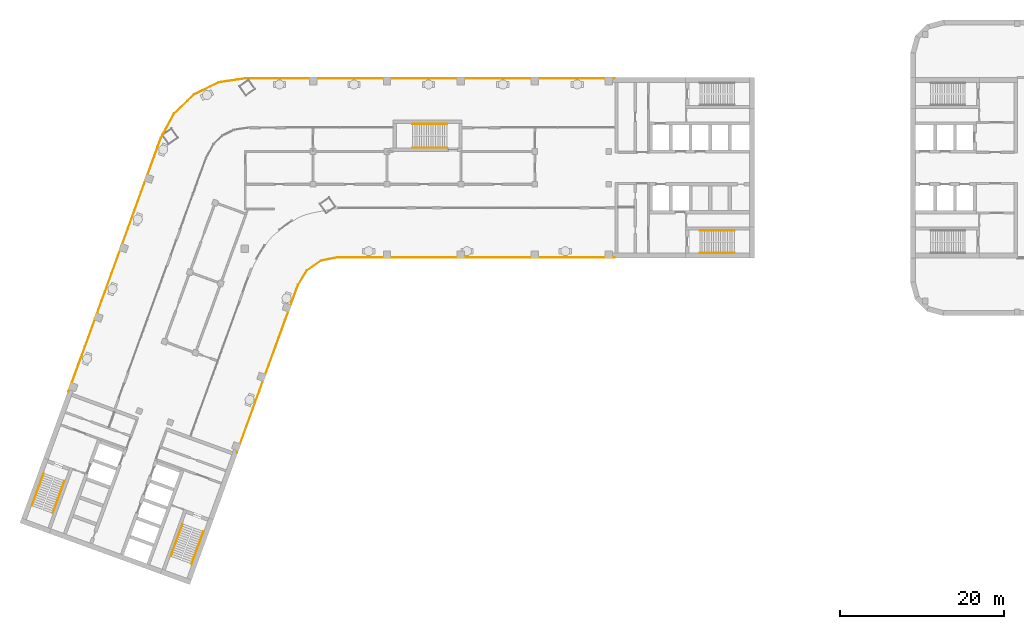
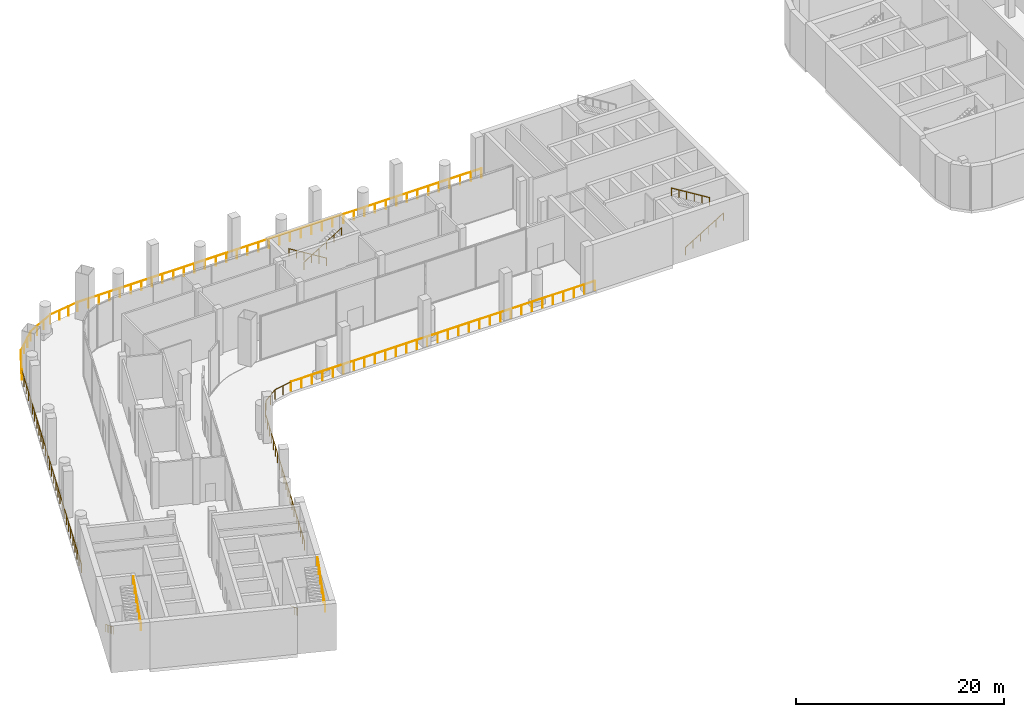
# One storey, part 16 of 19: 14 railings.
"""IFC4 building model written with IfcOpenShell, lengths in metres."""

from ifc_helpers import new_model, si_unit, direction, frame, origin, origin_2d, place, context, subcontext, project, spatial, circle, extrude, material, type_object, element, save


model = new_model("IFC4")

# Units and contexts
model_context = context("Model", 3, precision=1e-05, world=origin(), true_north=direction((0.0, 1.0)))
body_context = subcontext(model_context, "Body", "Model", "MODEL_VIEW")
ifc_project = project(units=[si_unit("LENGTHUNIT", "METRE"), si_unit("AREAUNIT", "SQUARE_METRE"), si_unit("VOLUMEUNIT", "CUBIC_METRE"), si_unit("PLANEANGLEUNIT", "RADIAN"), si_unit("MASSUNIT", "GRAM", prefix="KILO")], contexts=[model_context])

# Site, building, storey
site_placement = place(None, origin())
site = spatial("IfcSite", under=ifc_project, at=site_placement, CompositionType="ELEMENT")
building_placement = place(site_placement, origin())
building = spatial("IfcBuilding", under=site, at=building_placement, Name="Skarvind Civic Tower", CompositionType="ELEMENT")
storey_placement = place(building_placement, frame((0.0, 0.0, 75.5)))
storey = spatial("IfcBuildingStorey", under=building, at=storey_placement, Name="L17", CompositionType="ELEMENT", Elevation=75.5)

# Railings
ifc_material_1 = material(Name="Stainless steel balustrade", Category="steel")
railing_type_1 = type_object("IfcRailingType", Name="GR1 GUARD 1100", PredefinedType="GUARDRAIL", material=ifc_material_1)
railing_1_placement = place(storey_placement, frame((37.316650390625, 134.5830078125, 0.0)))
element("IfcRailing", 1, at=railing_1_placement, inside=storey, type_object=railing_type_1, Name="TERRACE GUARD", PredefinedType="GUARDRAIL", context=body_context, shape_type="SweptSolid", body=[
    extrude(circle(Radius=0.02392578125, at=origin_2d()), frame((0.0, 0.0, 1.076171875), z_axis=(0.72116914998, 0.69275901807, 0.0), x_axis=(-0.69275901807, 0.72116914998, 0.0)), (0.0, 0.0, 1.0), 3.377197265625),
    extrude(circle(Radius=0.02392578125, at=origin_2d()), frame((2.435546875, 2.339599609375, 1.076171875), z_axis=(0.897628432025, 0.440752989803, 0.0), x_axis=(-0.440752989803, 0.897628432025, 0.0)), (0.0, 0.0, 1.0), 3.36181640625),
    extrude(circle(Radius=0.02392578125, at=origin_2d()), frame((5.453125, 3.8212890625, 1.076171875), z_axis=(0.989124740539, 0.147079052395, 0.0), x_axis=(-0.147079052395, 0.989124740539, 0.0)), (0.0, 0.0, 1.0), 3.36962890625),
    extrude(circle(Radius=0.02392578125, at=origin_2d()), frame((8.7861328125, 4.31689453125, 1.076171875), z_axis=(1.0, 0.0, 0.0), x_axis=(0.0, 1.0, 0.0)), (0.0, 0.0, 1.0), 44.84716796875),
    extrude(circle(Radius=0.02099609375, at=origin_2d()), origin(), (0.0, 0.0, 1.0), 1.052001953125),
    extrude(circle(Radius=0.02099609375, at=origin_2d()), frame((0.811767578125, 0.77978515625, 0.0)), (0.0, 0.0, 1.0), 1.052001953125),
    extrude(circle(Radius=0.02099609375, at=origin_2d()), frame((1.623779296875, 1.559814453125, 0.0)), (0.0, 0.0, 1.0), 1.052001953125),
    extrude(circle(Radius=0.02099609375, at=origin_2d()), frame((2.435546875, 2.339599609375, 0.0)), (0.0, 0.0, 1.0), 1.052001953125),
    extrude(circle(Radius=0.02099609375, at=origin_2d()), frame((3.44140625, 2.83349609375, 0.0)), (0.0, 0.0, 1.0), 1.052001953125),
    extrude(circle(Radius=0.02099609375, at=origin_2d()), frame((4.447265625, 3.327392578125, 0.0)), (0.0, 0.0, 1.0), 1.052001953125),
    extrude(circle(Radius=0.02099609375, at=origin_2d()), frame((5.453125, 3.8212890625, 0.0)), (0.0, 0.0, 1.0), 1.052001953125),
    extrude(circle(Radius=0.02099609375, at=origin_2d()), frame((6.564208984375, 3.986572265625, 0.0)), (0.0, 0.0, 1.0), 1.052001953125),
    extrude(circle(Radius=0.02099609375, at=origin_2d()), frame((7.675048828125, 4.151611328125, 0.0)), (0.0, 0.0, 1.0), 1.052001953125),
    extrude(circle(Radius=0.02099609375, at=origin_2d()), frame((8.7861328125, 4.31689453125, 0.0)), (0.0, 0.0, 1.0), 1.052001953125),
    extrude(circle(Radius=0.02099609375, at=origin_2d()), frame((9.96630859375, 4.31689453125, 0.0)), (0.0, 0.0, 1.0), 1.052001953125),
    extrude(circle(Radius=0.02099609375, at=origin_2d()), frame((11.146484375, 4.31689453125, 0.0)), (0.0, 0.0, 1.0), 1.052001953125),
    extrude(circle(Radius=0.02099609375, at=origin_2d()), frame((12.32666015625, 4.31689453125, 0.0)), (0.0, 0.0, 1.0), 1.052001953125),
    extrude(circle(Radius=0.02099609375, at=origin_2d()), frame((13.5068359375, 4.31689453125, 0.0)), (0.0, 0.0, 1.0), 1.052001953125),
    extrude(circle(Radius=0.02099609375, at=origin_2d()), frame((14.68701171875, 4.31689453125, 0.0)), (0.0, 0.0, 1.0), 1.052001953125),
    extrude(circle(Radius=0.02099609375, at=origin_2d()), frame((15.8671875, 4.31689453125, 0.0)), (0.0, 0.0, 1.0), 1.052001953125),
    extrude(circle(Radius=0.02099609375, at=origin_2d()), frame((17.04736328125, 4.31689453125, 0.0)), (0.0, 0.0, 1.0), 1.052001953125),
    extrude(circle(Radius=0.02099609375, at=origin_2d()), frame((18.2275390625, 4.31689453125, 0.0)), (0.0, 0.0, 1.0), 1.052001953125),
    extrude(circle(Radius=0.02099609375, at=origin_2d()), frame((19.40771484375, 4.31689453125, 0.0)), (0.0, 0.0, 1.0), 1.052001953125),
    extrude(circle(Radius=0.02099609375, at=origin_2d()), frame((20.588134765625, 4.31689453125, 0.0)), (0.0, 0.0, 1.0), 1.052001953125),
    extrude(circle(Radius=0.02099609375, at=origin_2d()), frame((21.768310546875, 4.31689453125, 0.0)), (0.0, 0.0, 1.0), 1.052001953125),
    extrude(circle(Radius=0.02099609375, at=origin_2d()), frame((22.948486328125, 4.31689453125, 0.0)), (0.0, 0.0, 1.0), 1.052001953125),
    extrude(circle(Radius=0.02099609375, at=origin_2d()), frame((24.128662109375, 4.31689453125, 0.0)), (0.0, 0.0, 1.0), 1.052001953125),
    extrude(circle(Radius=0.02099609375, at=origin_2d()), frame((25.308837890625, 4.31689453125, 0.0)), (0.0, 0.0, 1.0), 1.052001953125),
    extrude(circle(Radius=0.02099609375, at=origin_2d()), frame((26.489013671875, 4.31689453125, 0.0)), (0.0, 0.0, 1.0), 1.052001953125),
    extrude(circle(Radius=0.02099609375, at=origin_2d()), frame((27.669189453125, 4.31689453125, 0.0)), (0.0, 0.0, 1.0), 1.052001953125),
    extrude(circle(Radius=0.02099609375, at=origin_2d()), frame((28.849365234375, 4.31689453125, 0.0)), (0.0, 0.0, 1.0), 1.052001953125),
    extrude(circle(Radius=0.02099609375, at=origin_2d()), frame((30.029541015625, 4.31689453125, 0.0)), (0.0, 0.0, 1.0), 1.052001953125),
    extrude(circle(Radius=0.02099609375, at=origin_2d()), frame((31.209716796875, 4.31689453125, 0.0)), (0.0, 0.0, 1.0), 1.052001953125),
    extrude(circle(Radius=0.02099609375, at=origin_2d()), frame((32.389892578125, 4.31689453125, 0.0)), (0.0, 0.0, 1.0), 1.052001953125),
    extrude(circle(Radius=0.02099609375, at=origin_2d()), frame((33.570068359375, 4.31689453125, 0.0)), (0.0, 0.0, 1.0), 1.052001953125),
    extrude(circle(Radius=0.02099609375, at=origin_2d()), frame((34.750244140625, 4.31689453125, 0.0)), (0.0, 0.0, 1.0), 1.052001953125),
    extrude(circle(Radius=0.02099609375, at=origin_2d()), frame((35.930419921875, 4.31689453125, 0.0)), (0.0, 0.0, 1.0), 1.052001953125),
    extrude(circle(Radius=0.02099609375, at=origin_2d()), frame((37.110595703125, 4.31689453125, 0.0)), (0.0, 0.0, 1.0), 1.052001953125),
    extrude(circle(Radius=0.02099609375, at=origin_2d()), frame((38.290771484375, 4.31689453125, 0.0)), (0.0, 0.0, 1.0), 1.052001953125),
    extrude(circle(Radius=0.02099609375, at=origin_2d()), frame((39.470947265625, 4.31689453125, 0.0)), (0.0, 0.0, 1.0), 1.052001953125),
    extrude(circle(Radius=0.02099609375, at=origin_2d()), frame((40.651123046875, 4.31689453125, 0.0)), (0.0, 0.0, 1.0), 1.052001953125),
    extrude(circle(Radius=0.02099609375, at=origin_2d()), frame((41.831298828125, 4.31689453125, 0.0)), (0.0, 0.0, 1.0), 1.052001953125),
    extrude(circle(Radius=0.02099609375, at=origin_2d()), frame((43.01171875, 4.31689453125, 0.0)), (0.0, 0.0, 1.0), 1.052001953125),
    extrude(circle(Radius=0.02099609375, at=origin_2d()), frame((44.19189453125, 4.31689453125, 0.0)), (0.0, 0.0, 1.0), 1.052001953125),
    extrude(circle(Radius=0.02099609375, at=origin_2d()), frame((45.3720703125, 4.31689453125, 0.0)), (0.0, 0.0, 1.0), 1.052001953125),
    extrude(circle(Radius=0.02099609375, at=origin_2d()), frame((46.55224609375, 4.31689453125, 0.0)), (0.0, 0.0, 1.0), 1.052001953125),
    extrude(circle(Radius=0.02099609375, at=origin_2d()), frame((47.732421875, 4.31689453125, 0.0)), (0.0, 0.0, 1.0), 1.052001953125),
    extrude(circle(Radius=0.02099609375, at=origin_2d()), frame((48.91259765625, 4.31689453125, 0.0)), (0.0, 0.0, 1.0), 1.052001953125),
    extrude(circle(Radius=0.02099609375, at=origin_2d()), frame((50.0927734375, 4.31689453125, 0.0)), (0.0, 0.0, 1.0), 1.052001953125),
    extrude(circle(Radius=0.02099609375, at=origin_2d()), frame((51.27294921875, 4.31689453125, 0.0)), (0.0, 0.0, 1.0), 1.052001953125),
    extrude(circle(Radius=0.02099609375, at=origin_2d()), frame((52.453125, 4.31689453125, 0.0)), (0.0, 0.0, 1.0), 1.052001953125),
    extrude(circle(Radius=0.02099609375, at=origin_2d()), frame((53.63330078125, 4.31689453125, 0.0)), (0.0, 0.0, 1.0), 1.052001953125),
])
railing_2_placement = place(storey_placement, frame((24.48779296875, 100.76513671875, 0.0)))
element("IfcRailing", 2, at=railing_2_placement, inside=storey, type_object=railing_type_1, Name="TERRACE GUARD", PredefinedType="GUARDRAIL", context=body_context, shape_type="SweptSolid", body=[
    extrude(circle(Radius=0.02392578125, at=origin_2d()), frame((0.0, 0.0, 1.076171875), z_axis=(0.342019954452, 0.93969268953, 0.0), x_axis=(-0.93969268953, 0.342019954452, 0.0)), (0.0, 0.0, 1.0), 32.84716796875),
    extrude(circle(Radius=0.02099609375, at=origin_2d()), origin(), (0.0, 0.0, 1.0), 1.052001953125),
    extrude(circle(Radius=0.02099609375, at=origin_2d()), frame((0.401123046875, 1.102294921875, 0.0)), (0.0, 0.0, 1.0), 1.052001953125),
    extrude(circle(Radius=0.02099609375, at=origin_2d()), frame((0.802490234375, 2.204833984375, 0.0)), (0.0, 0.0, 1.0), 1.052001953125),
    extrude(circle(Radius=0.02099609375, at=origin_2d()), frame((1.20361328125, 3.30712890625, 0.0)), (0.0, 0.0, 1.0), 1.052001953125),
    extrude(circle(Radius=0.02099609375, at=origin_2d()), frame((1.60498046875, 4.409423828125, 0.0)), (0.0, 0.0, 1.0), 1.052001953125),
    extrude(circle(Radius=0.02099609375, at=origin_2d()), frame((2.006103515625, 5.51171875, 0.0)), (0.0, 0.0, 1.0), 1.052001953125),
    extrude(circle(Radius=0.02099609375, at=origin_2d()), frame((2.407470703125, 6.6142578125, 0.0)), (0.0, 0.0, 1.0), 1.052001953125),
    extrude(circle(Radius=0.02099609375, at=origin_2d()), frame((2.80859375, 7.716552734375, 0.0)), (0.0, 0.0, 1.0), 1.052001953125),
    extrude(circle(Radius=0.02099609375, at=origin_2d()), frame((3.209716796875, 8.81884765625, 0.0)), (0.0, 0.0, 1.0), 1.052001953125),
    extrude(circle(Radius=0.02099609375, at=origin_2d()), frame((3.611083984375, 9.92138671875, 0.0)), (0.0, 0.0, 1.0), 1.052001953125),
    extrude(circle(Radius=0.02099609375, at=origin_2d()), frame((4.01220703125, 11.023681640625, 0.0)), (0.0, 0.0, 1.0), 1.052001953125),
    extrude(circle(Radius=0.02099609375, at=origin_2d()), frame((4.41357421875, 12.1259765625, 0.0)), (0.0, 0.0, 1.0), 1.052001953125),
    extrude(circle(Radius=0.02099609375, at=origin_2d()), frame((4.814697265625, 13.228271484375, 0.0)), (0.0, 0.0, 1.0), 1.052001953125),
    extrude(circle(Radius=0.02099609375, at=origin_2d()), frame((5.216064453125, 14.330810546875, 0.0)), (0.0, 0.0, 1.0), 1.052001953125),
    extrude(circle(Radius=0.02099609375, at=origin_2d()), frame((5.6171875, 15.43310546875, 0.0)), (0.0, 0.0, 1.0), 1.052001953125),
    extrude(circle(Radius=0.02099609375, at=origin_2d()), frame((6.018310546875, 16.535400390625, 0.0)), (0.0, 0.0, 1.0), 1.052001953125),
    extrude(circle(Radius=0.02099609375, at=origin_2d()), frame((6.419677734375, 17.637939453125, 0.0)), (0.0, 0.0, 1.0), 1.052001953125),
    extrude(circle(Radius=0.02099609375, at=origin_2d()), frame((6.82080078125, 18.740234375, 0.0)), (0.0, 0.0, 1.0), 1.052001953125),
    extrude(circle(Radius=0.02099609375, at=origin_2d()), frame((7.22216796875, 19.842529296875, 0.0)), (0.0, 0.0, 1.0), 1.052001953125),
    extrude(circle(Radius=0.02099609375, at=origin_2d()), frame((7.623291015625, 20.94482421875, 0.0)), (0.0, 0.0, 1.0), 1.052001953125),
    extrude(circle(Radius=0.02099609375, at=origin_2d()), frame((8.024658203125, 22.04736328125, 0.0)), (0.0, 0.0, 1.0), 1.052001953125),
    extrude(circle(Radius=0.02099609375, at=origin_2d()), frame((8.42578125, 23.149658203125, 0.0)), (0.0, 0.0, 1.0), 1.052001953125),
    extrude(circle(Radius=0.02099609375, at=origin_2d()), frame((8.826904296875, 24.251953125, 0.0)), (0.0, 0.0, 1.0), 1.052001953125),
    extrude(circle(Radius=0.02099609375, at=origin_2d()), frame((9.228271484375, 25.3544921875, 0.0)), (0.0, 0.0, 1.0), 1.052001953125),
    extrude(circle(Radius=0.02099609375, at=origin_2d()), frame((9.62939453125, 26.456787109375, 0.0)), (0.0, 0.0, 1.0), 1.052001953125),
    extrude(circle(Radius=0.02099609375, at=origin_2d()), frame((10.03076171875, 27.55908203125, 0.0)), (0.0, 0.0, 1.0), 1.052001953125),
    extrude(circle(Radius=0.02099609375, at=origin_2d()), frame((10.431884765625, 28.661376953125, 0.0)), (0.0, 0.0, 1.0), 1.052001953125),
    extrude(circle(Radius=0.02099609375, at=origin_2d()), frame((10.833251953125, 29.763916015625, 0.0)), (0.0, 0.0, 1.0), 1.052001953125),
    extrude(circle(Radius=0.02099609375, at=origin_2d()), frame((11.234375, 30.8662109375, 0.0)), (0.0, 0.0, 1.0), 1.052001953125),
])
railing_3_placement = place(storey_placement, frame((35.72216796875, 131.63134765625, 0.0)))
element("IfcRailing", 3, at=railing_3_placement, inside=storey, type_object=railing_type_1, Name="TERRACE GUARD", PredefinedType="GUARDRAIL", context=body_context, shape_type="SweptSolid", body=[
    extrude(circle(Radius=0.02392578125, at=origin_2d()), frame((0.0, 0.0, 1.076171875), z_axis=(0.476536354309, 0.879154766251, 0.0), x_axis=(-0.879154766251, 0.476536354309, 0.0)), (0.0, 0.0, 1.0), 3.385498046875),
    extrude(circle(Radius=0.02099609375, at=origin_2d()), origin(), (0.0, 0.0, 1.0), 1.052001953125),
    extrude(circle(Radius=0.02099609375, at=origin_2d()), frame((0.537841796875, 0.9921875, 0.0)), (0.0, 0.0, 1.0), 1.052001953125),
    extrude(circle(Radius=0.02099609375, at=origin_2d()), frame((1.075439453125, 1.984130859375, 0.0)), (0.0, 0.0, 1.0), 1.052001953125),
    extrude(circle(Radius=0.02099609375, at=origin_2d()), frame((1.61328125, 2.976318359375, 0.0)), (0.0, 0.0, 1.0), 1.052001953125),
])
railing_4_placement = place(storey_placement, frame((55.176513671875, 116.675048828125, 0.0)))
element("IfcRailing", 4, at=railing_4_placement, inside=storey, type_object=railing_type_1, Name="TERRACE GUARD", PredefinedType="GUARDRAIL", context=body_context, shape_type="SweptSolid", body=[
    extrude(circle(Radius=0.02392578125, at=origin_2d()), frame((0.0, 0.0, 1.076171875), z_axis=(-0.819142957815, -0.573589412963, 0.0), x_axis=(0.573589412963, -0.819142957815, 0.0)), (0.0, 0.0, 1.0), 2.06298828125),
    extrude(circle(Radius=0.02392578125, at=origin_2d()), frame((-1.68994140625, -1.183349609375, 1.076171875), z_axis=(-0.522473695222, -0.8526554039, 0.0), x_axis=(0.8526554039, -0.522473695222, 0.0)), (0.0, 0.0, 1.0), 2.0732421875),
    extrude(circle(Radius=0.02392578125, at=origin_2d()), frame((-2.773193359375, -2.951171875, 1.076171875), z_axis=(-0.342011936597, -0.93969560775, 0.0), x_axis=(0.93969560775, -0.342011936597, 0.0)), (0.0, 0.0, 1.0), 21.724853515625),
    extrude(circle(Radius=0.02099609375, at=origin_2d()), origin(), (0.0, 0.0, 1.0), 1.052001953125),
    extrude(circle(Radius=0.02099609375, at=origin_2d()), frame((-0.844970703125, -0.591796875, 0.0)), (0.0, 0.0, 1.0), 1.052001953125),
    extrude(circle(Radius=0.02099609375, at=origin_2d()), frame((-1.68994140625, -1.183349609375, 0.0)), (0.0, 0.0, 1.0), 1.052001953125),
    extrude(circle(Radius=0.02099609375, at=origin_2d()), frame((-2.2314453125, -2.0673828125, 0.0)), (0.0, 0.0, 1.0), 1.052001953125),
    extrude(circle(Radius=0.02099609375, at=origin_2d()), frame((-2.773193359375, -2.951171875, 0.0)), (0.0, 0.0, 1.0), 1.052001953125),
    extrude(circle(Radius=0.02099609375, at=origin_2d()), frame((-3.164306640625, -4.025634765625, 0.0)), (0.0, 0.0, 1.0), 1.052001953125),
    extrude(circle(Radius=0.02099609375, at=origin_2d()), frame((-3.555419921875, -5.10009765625, 0.0)), (0.0, 0.0, 1.0), 1.052001953125),
    extrude(circle(Radius=0.02099609375, at=origin_2d()), frame((-3.9462890625, -6.174560546875, 0.0)), (0.0, 0.0, 1.0), 1.052001953125),
    extrude(circle(Radius=0.02099609375, at=origin_2d()), frame((-4.33740234375, -7.2490234375, 0.0)), (0.0, 0.0, 1.0), 1.052001953125),
    extrude(circle(Radius=0.02099609375, at=origin_2d()), frame((-4.728515625, -8.323486328125, 0.0)), (0.0, 0.0, 1.0), 1.052001953125),
    extrude(circle(Radius=0.02099609375, at=origin_2d()), frame((-5.11962890625, -9.39794921875, 0.0)), (0.0, 0.0, 1.0), 1.052001953125),
    extrude(circle(Radius=0.02099609375, at=origin_2d()), frame((-5.5107421875, -10.472412109375, 0.0)), (0.0, 0.0, 1.0), 1.052001953125),
    extrude(circle(Radius=0.02099609375, at=origin_2d()), frame((-5.901611328125, -11.546875, 0.0)), (0.0, 0.0, 1.0), 1.052001953125),
    extrude(circle(Radius=0.02099609375, at=origin_2d()), frame((-6.292724609375, -12.621337890625, 0.0)), (0.0, 0.0, 1.0), 1.052001953125),
    extrude(circle(Radius=0.02099609375, at=origin_2d()), frame((-6.683837890625, -13.69580078125, 0.0)), (0.0, 0.0, 1.0), 1.052001953125),
    extrude(circle(Radius=0.02099609375, at=origin_2d()), frame((-7.074951171875, -14.770263671875, 0.0)), (0.0, 0.0, 1.0), 1.052001953125),
    extrude(circle(Radius=0.02099609375, at=origin_2d()), frame((-7.4658203125, -15.8447265625, 0.0)), (0.0, 0.0, 1.0), 1.052001953125),
    extrude(circle(Radius=0.02099609375, at=origin_2d()), frame((-7.85693359375, -16.919189453125, 0.0)), (0.0, 0.0, 1.0), 1.052001953125),
    extrude(circle(Radius=0.02099609375, at=origin_2d()), frame((-8.248046875, -17.99365234375, 0.0)), (0.0, 0.0, 1.0), 1.052001953125),
    extrude(circle(Radius=0.02099609375, at=origin_2d()), frame((-8.63916015625, -19.068115234375, 0.0)), (0.0, 0.0, 1.0), 1.052001953125),
    extrude(circle(Radius=0.02099609375, at=origin_2d()), frame((-9.0302734375, -20.142578125, 0.0)), (0.0, 0.0, 1.0), 1.052001953125),
    extrude(circle(Radius=0.02099609375, at=origin_2d()), frame((-9.421142578125, -21.217041015625, 0.0)), (0.0, 0.0, 1.0), 1.052001953125),
    extrude(circle(Radius=0.02099609375, at=origin_2d()), frame((-9.812255859375, -22.29150390625, 0.0)), (0.0, 0.0, 1.0), 1.052001953125),
    extrude(circle(Radius=0.02099609375, at=origin_2d()), frame((-10.203369140625, -23.365966796875, 0.0)), (0.0, 0.0, 1.0), 1.052001953125),
])
railing_5_placement = place(storey_placement, frame((90.949951171875, 117.10009765625, 0.0)))
element("IfcRailing", 5, at=railing_5_placement, inside=storey, type_object=railing_type_1, Name="TERRACE GUARD", PredefinedType="GUARDRAIL", context=body_context, shape_type="SweptSolid", body=[
    extrude(circle(Radius=0.02392578125, at=origin_2d()), frame((0.0, 0.0, 1.076171875), z_axis=(-1.0, 0.0, 0.0), x_axis=(0.0, -1.0, 0.0)), (0.0, 0.0, 1.0), 33.724853515625),
    extrude(circle(Radius=0.02099609375, at=origin_2d()), origin(), (0.0, 0.0, 1.0), 1.052001953125),
    extrude(circle(Radius=0.02099609375, at=origin_2d()), frame((-1.162841796875, 0.0, 0.0)), (0.0, 0.0, 1.0), 1.052001953125),
    extrude(circle(Radius=0.02099609375, at=origin_2d()), frame((-2.325927734375, 0.0, 0.0)), (0.0, 0.0, 1.0), 1.052001953125),
    extrude(circle(Radius=0.02099609375, at=origin_2d()), frame((-3.48876953125, 0.0, 0.0)), (0.0, 0.0, 1.0), 1.052001953125),
    extrude(circle(Radius=0.02099609375, at=origin_2d()), frame((-4.651611328125, 0.0, 0.0)), (0.0, 0.0, 1.0), 1.052001953125),
    extrude(circle(Radius=0.02099609375, at=origin_2d()), frame((-5.814697265625, 0.0, 0.0)), (0.0, 0.0, 1.0), 1.052001953125),
    extrude(circle(Radius=0.02099609375, at=origin_2d()), frame((-6.9775390625, 0.0, 0.0)), (0.0, 0.0, 1.0), 1.052001953125),
    extrude(circle(Radius=0.02099609375, at=origin_2d()), frame((-8.140380859375, 0.0, 0.0)), (0.0, 0.0, 1.0), 1.052001953125),
    extrude(circle(Radius=0.02099609375, at=origin_2d()), frame((-9.303466796875, 0.0, 0.0)), (0.0, 0.0, 1.0), 1.052001953125),
    extrude(circle(Radius=0.02099609375, at=origin_2d()), frame((-10.46630859375, 0.0, 0.0)), (0.0, 0.0, 1.0), 1.052001953125),
    extrude(circle(Radius=0.02099609375, at=origin_2d()), frame((-11.629150390625, 0.0, 0.0)), (0.0, 0.0, 1.0), 1.052001953125),
    extrude(circle(Radius=0.02099609375, at=origin_2d()), frame((-12.792236328125, 0.0, 0.0)), (0.0, 0.0, 1.0), 1.052001953125),
    extrude(circle(Radius=0.02099609375, at=origin_2d()), frame((-13.955078125, 0.0, 0.0)), (0.0, 0.0, 1.0), 1.052001953125),
    extrude(circle(Radius=0.02099609375, at=origin_2d()), frame((-15.117919921875, 0.0, 0.0)), (0.0, 0.0, 1.0), 1.052001953125),
    extrude(circle(Radius=0.02099609375, at=origin_2d()), frame((-16.281005859375, 0.0, 0.0)), (0.0, 0.0, 1.0), 1.052001953125),
    extrude(circle(Radius=0.02099609375, at=origin_2d()), frame((-17.44384765625, 0.0, 0.0)), (0.0, 0.0, 1.0), 1.052001953125),
    extrude(circle(Radius=0.02099609375, at=origin_2d()), frame((-18.60693359375, 0.0, 0.0)), (0.0, 0.0, 1.0), 1.052001953125),
    extrude(circle(Radius=0.02099609375, at=origin_2d()), frame((-19.769775390625, 0.0, 0.0)), (0.0, 0.0, 1.0), 1.052001953125),
    extrude(circle(Radius=0.02099609375, at=origin_2d()), frame((-20.9326171875, 0.0, 0.0)), (0.0, 0.0, 1.0), 1.052001953125),
    extrude(circle(Radius=0.02099609375, at=origin_2d()), frame((-22.095703125, 0.0, 0.0)), (0.0, 0.0, 1.0), 1.052001953125),
    extrude(circle(Radius=0.02099609375, at=origin_2d()), frame((-23.258544921875, 0.0, 0.0)), (0.0, 0.0, 1.0), 1.052001953125),
    extrude(circle(Radius=0.02099609375, at=origin_2d()), frame((-24.42138671875, 0.0, 0.0)), (0.0, 0.0, 1.0), 1.052001953125),
    extrude(circle(Radius=0.02099609375, at=origin_2d()), frame((-25.58447265625, 0.0, 0.0)), (0.0, 0.0, 1.0), 1.052001953125),
    extrude(circle(Radius=0.02099609375, at=origin_2d()), frame((-26.747314453125, 0.0, 0.0)), (0.0, 0.0, 1.0), 1.052001953125),
    extrude(circle(Radius=0.02099609375, at=origin_2d()), frame((-27.91015625, 0.0, 0.0)), (0.0, 0.0, 1.0), 1.052001953125),
    extrude(circle(Radius=0.02099609375, at=origin_2d()), frame((-29.0732421875, 0.0, 0.0)), (0.0, 0.0, 1.0), 1.052001953125),
    extrude(circle(Radius=0.02099609375, at=origin_2d()), frame((-30.236083984375, 0.0, 0.0)), (0.0, 0.0, 1.0), 1.052001953125),
    extrude(circle(Radius=0.02099609375, at=origin_2d()), frame((-31.39892578125, 0.0, 0.0)), (0.0, 0.0, 1.0), 1.052001953125),
    extrude(circle(Radius=0.02099609375, at=origin_2d()), frame((-32.56201171875, 0.0, 0.0)), (0.0, 0.0, 1.0), 1.052001953125),
    extrude(circle(Radius=0.02099609375, at=origin_2d()), frame((-33.724853515625, 0.0, 0.0)), (0.0, 0.0, 1.0), 1.052001953125),
])
railing_6_placement = place(storey_placement, frame((57.22509765625, 117.10009765625, 0.0)))
element("IfcRailing", 6, at=railing_6_placement, inside=storey, type_object=railing_type_1, Name="TERRACE GUARD", PredefinedType="GUARDRAIL", context=body_context, shape_type="SweptSolid", body=[
    extrude(circle(Radius=0.02392578125, at=origin_2d()), frame((0.0, 0.0, 1.076171875), z_axis=(-0.979925635165, -0.19936336059, 0.0), x_axis=(0.19936336059, -0.979925635165, 0.0)), (0.0, 0.0, 1.0), 2.052490234375),
    extrude(circle(Radius=0.02099609375, at=origin_2d()), origin(), (0.0, 0.0, 1.0), 1.052001953125),
    extrude(circle(Radius=0.02099609375, at=origin_2d()), frame((-1.005615234375, -0.20458984375, 0.0)), (0.0, 0.0, 1.0), 1.052001953125),
    extrude(circle(Radius=0.02099609375, at=origin_2d()), frame((-2.01123046875, -0.4091796875, 0.0)), (0.0, 0.0, 1.0), 1.052001953125),
])
ifc_material_2 = material(Name="Painted steel handrail", Category="steel")
railing_type_2 = type_object("IfcRailingType", Name="Stair handrail 900", PredefinedType="HANDRAIL", material=ifc_material_2)
railing_7_placement = place(storey_placement, frame((101.35009765625, 117.64990234375, 0.171875)))
element("IfcRailing", 7, at=railing_7_placement, inside=storey, type_object=railing_type_2, Name="Stair handrail", PredefinedType="HANDRAIL", context=body_context, shape_type="SweptSolid", body=[
    extrude(circle(Radius=0.02392578125, at=origin_2d()), frame((0.0, 0.0, 0.8759765625), z_axis=(0.852242915053, 0.0, 0.523146264196), x_axis=(0.0, 1.0, 0.0)), (0.0, 0.0, 1.0), 4.92822265625),
    extrude(circle(Radius=0.02099609375, at=origin_2d()), origin(), (0.0, 0.0, 1.0), 0.851806640625),
    extrude(circle(Radius=0.02099609375, at=origin_2d()), frame((0.840087890625, 0.0, 0.515625)), (0.0, 0.0, 1.0), 0.851806640625),
    extrude(circle(Radius=0.02099609375, at=origin_2d()), frame((1.679931640625, 0.0, 1.03125)), (0.0, 0.0, 1.0), 0.851806640625),
    extrude(circle(Radius=0.02099609375, at=origin_2d()), frame((2.52001953125, 0.0, 1.546875)), (0.0, 0.0, 1.0), 0.851806640625),
    extrude(circle(Radius=0.02099609375, at=origin_2d()), frame((3.35986328125, 0.0, 2.0625)), (0.0, 0.0, 1.0), 0.851806640625),
    extrude(circle(Radius=0.02099609375, at=origin_2d()), frame((4.199951171875, 0.0, 2.578125)), (0.0, 0.0, 1.0), 0.851806640625),
])
railing_8_placement = place(storey_placement, frame((105.550048828125, 120.35009765625, 2.921875)))
element("IfcRailing", 8, at=railing_8_placement, inside=storey, type_object=railing_type_2, Name="Stair handrail", PredefinedType="HANDRAIL", context=body_context, shape_type="SweptSolid", body=[
    extrude(circle(Radius=0.02392578125, at=origin_2d()), frame((0.0, 0.0, 0.8759765625), z_axis=(-0.852242915053, 0.0, 0.523146264196), x_axis=(0.0, -1.0, 0.0)), (0.0, 0.0, 1.0), 4.92822265625),
    extrude(circle(Radius=0.02099609375, at=origin_2d()), origin(), (0.0, 0.0, 1.0), 0.851806640625),
    extrude(circle(Radius=0.02099609375, at=origin_2d()), frame((-0.840087890625, 0.0, 0.515625)), (0.0, 0.0, 1.0), 0.851806640625),
    extrude(circle(Radius=0.02099609375, at=origin_2d()), frame((-1.679931640625, 0.0, 1.03125)), (0.0, 0.0, 1.0), 0.851806640625),
    extrude(circle(Radius=0.02099609375, at=origin_2d()), frame((-2.52001953125, 0.0, 1.546875)), (0.0, 0.0, 1.0), 0.851806640625),
    extrude(circle(Radius=0.02099609375, at=origin_2d()), frame((-3.35986328125, 0.0, 2.0625)), (0.0, 0.0, 1.0), 0.851806640625),
    extrude(circle(Radius=0.02099609375, at=origin_2d()), frame((-4.199951171875, 0.0, 2.578125)), (0.0, 0.0, 1.0), 0.851806640625),
])
railing_9_placement = place(storey_placement, frame((38.362060546875, 84.64794921875, 0.171875)))
element("IfcRailing", 9, at=railing_9_placement, inside=storey, type_object=railing_type_2, Name="Stair handrail", PredefinedType="HANDRAIL", context=body_context, shape_type="SweptSolid", body=[
    extrude(circle(Radius=0.02392578125, at=origin_2d()), frame((0.0, 0.0, 0.8759765625), z_axis=(-0.291489145174, -0.800852059973, 0.523134835662), x_axis=(0.939691552312, -0.342023078919, 0.0)), (0.0, 0.0, 1.0), 4.92822265625),
    extrude(circle(Radius=0.02099609375, at=origin_2d()), origin(), (0.0, 0.0, 1.0), 0.851806640625),
    extrude(circle(Radius=0.02099609375, at=origin_2d()), frame((-0.287353515625, -0.789306640625, 0.515625)), (0.0, 0.0, 1.0), 0.851806640625),
    extrude(circle(Radius=0.02099609375, at=origin_2d()), frame((-0.57470703125, -1.57861328125, 1.03125)), (0.0, 0.0, 1.0), 0.851806640625),
    extrude(circle(Radius=0.02099609375, at=origin_2d()), frame((-0.86181640625, -2.3681640625, 1.546875)), (0.0, 0.0, 1.0), 0.851806640625),
    extrude(circle(Radius=0.02099609375, at=origin_2d()), frame((-1.149169921875, -3.157470703125, 2.0625)), (0.0, 0.0, 1.0), 0.851806640625),
    extrude(circle(Radius=0.02099609375, at=origin_2d()), frame((-1.4365234375, -3.94677734375, 2.578125)), (0.0, 0.0, 1.0), 0.851806640625),
])
railing_10_placement = place(storey_placement, frame((39.462646484375, 79.777587890625, 2.921875)))
element("IfcRailing", 10, at=railing_10_placement, inside=storey, type_object=railing_type_2, Name="Stair handrail", PredefinedType="HANDRAIL", context=body_context, shape_type="SweptSolid", body=[
    extrude(circle(Radius=0.02392578125, at=origin_2d()), frame((0.0, 0.0, 0.8759765625), z_axis=(0.291489145174, 0.800852059973, 0.523134835662), x_axis=(-0.939691552312, 0.342023078919, 0.0)), (0.0, 0.0, 1.0), 4.92822265625),
    extrude(circle(Radius=0.02099609375, at=origin_2d()), origin(), (0.0, 0.0, 1.0), 0.851806640625),
    extrude(circle(Radius=0.02099609375, at=origin_2d()), frame((0.287353515625, 0.789306640625, 0.515625)), (0.0, 0.0, 1.0), 0.851806640625),
    extrude(circle(Radius=0.02099609375, at=origin_2d()), frame((0.57470703125, 1.57861328125, 1.03125)), (0.0, 0.0, 1.0), 0.851806640625),
    extrude(circle(Radius=0.02099609375, at=origin_2d()), frame((0.86181640625, 2.3681640625, 1.546875)), (0.0, 0.0, 1.0), 0.851806640625),
    extrude(circle(Radius=0.02099609375, at=origin_2d()), frame((1.149169921875, 3.157470703125, 2.0625)), (0.0, 0.0, 1.0), 0.851806640625),
    extrude(circle(Radius=0.02099609375, at=origin_2d()), frame((1.4365234375, 3.94677734375, 2.578125)), (0.0, 0.0, 1.0), 0.851806640625),
])
railing_11_placement = place(storey_placement, frame((21.447509765625, 90.80419921875, 0.171875)))
element("IfcRailing", 11, at=railing_11_placement, inside=storey, type_object=railing_type_2, Name="Stair handrail", PredefinedType="HANDRAIL", context=body_context, shape_type="SweptSolid", body=[
    extrude(circle(Radius=0.02392578125, at=origin_2d()), frame((0.0, 0.0, 0.8759765625), z_axis=(-0.291443814059, -0.800863623675, 0.523142389336), x_axis=(0.939710233287, -0.341971749501, 0.0)), (0.0, 0.0, 1.0), 4.92822265625),
    extrude(circle(Radius=0.02099609375, at=origin_2d()), origin(), (0.0, 0.0, 1.0), 0.851806640625),
    extrude(circle(Radius=0.02099609375, at=origin_2d()), frame((-0.287353515625, -0.789306640625, 0.515625)), (0.0, 0.0, 1.0), 0.851806640625),
    extrude(circle(Radius=0.02099609375, at=origin_2d()), frame((-0.574462890625, -1.57861328125, 1.03125)), (0.0, 0.0, 1.0), 0.851806640625),
    extrude(circle(Radius=0.02099609375, at=origin_2d()), frame((-0.86181640625, -2.3681640625, 1.546875)), (0.0, 0.0, 1.0), 0.851806640625),
    extrude(circle(Radius=0.02099609375, at=origin_2d()), frame((-1.14892578125, -3.157470703125, 2.0625)), (0.0, 0.0, 1.0), 0.851806640625),
    extrude(circle(Radius=0.02099609375, at=origin_2d()), frame((-1.436279296875, -3.94677734375, 2.578125)), (0.0, 0.0, 1.0), 0.851806640625),
])
railing_12_placement = place(storey_placement, frame((22.54833984375, 85.93408203125, 2.921875)))
element("IfcRailing", 12, at=railing_12_placement, inside=storey, type_object=railing_type_2, Name="Stair handrail", PredefinedType="HANDRAIL", context=body_context, shape_type="SweptSolid", body=[
    extrude(circle(Radius=0.02392578125, at=origin_2d()), frame((0.0, 0.0, 0.8759765625), z_axis=(0.291489145174, 0.800852059973, 0.523134835662), x_axis=(-0.939691552312, 0.342023078919, 0.0)), (0.0, 0.0, 1.0), 4.92822265625),
    extrude(circle(Radius=0.02099609375, at=origin_2d()), origin(), (0.0, 0.0, 1.0), 0.851806640625),
    extrude(circle(Radius=0.02099609375, at=origin_2d()), frame((0.287353515625, 0.789306640625, 0.515625)), (0.0, 0.0, 1.0), 0.851806640625),
    extrude(circle(Radius=0.02099609375, at=origin_2d()), frame((0.57470703125, 1.57861328125, 1.03125)), (0.0, 0.0, 1.0), 0.851806640625),
    extrude(circle(Radius=0.02099609375, at=origin_2d()), frame((0.86181640625, 2.3681640625, 1.546875)), (0.0, 0.0, 1.0), 0.851806640625),
    extrude(circle(Radius=0.02099609375, at=origin_2d()), frame((1.149169921875, 3.157470703125, 2.0625)), (0.0, 0.0, 1.0), 0.851806640625),
    extrude(circle(Radius=0.02099609375, at=origin_2d()), frame((1.4365234375, 3.94677734375, 2.578125)), (0.0, 0.0, 1.0), 0.851806640625),
])
railing_13_placement = place(storey_placement, frame((70.550048828125, 133.35009765625, 0.171875)))
element("IfcRailing", 13, at=railing_13_placement, inside=storey, type_object=railing_type_2, Name="Stair handrail", PredefinedType="HANDRAIL", context=body_context, shape_type="SweptSolid", body=[
    extrude(circle(Radius=0.02392578125, at=origin_2d()), frame((0.0, 0.0, 0.8759765625), z_axis=(-0.852242915053, 0.0, 0.523146264196), x_axis=(0.0, -1.0, 0.0)), (0.0, 0.0, 1.0), 4.92822265625),
    extrude(circle(Radius=0.02099609375, at=origin_2d()), origin(), (0.0, 0.0, 1.0), 0.851806640625),
    extrude(circle(Radius=0.02099609375, at=origin_2d()), frame((-0.840087890625, 0.0, 0.515625)), (0.0, 0.0, 1.0), 0.851806640625),
    extrude(circle(Radius=0.02099609375, at=origin_2d()), frame((-1.679931640625, 0.0, 1.03125)), (0.0, 0.0, 1.0), 0.851806640625),
    extrude(circle(Radius=0.02099609375, at=origin_2d()), frame((-2.52001953125, 0.0, 1.546875)), (0.0, 0.0, 1.0), 0.851806640625),
    extrude(circle(Radius=0.02099609375, at=origin_2d()), frame((-3.35986328125, 0.0, 2.0625)), (0.0, 0.0, 1.0), 0.851806640625),
    extrude(circle(Radius=0.02099609375, at=origin_2d()), frame((-4.199951171875, 0.0, 2.578125)), (0.0, 0.0, 1.0), 0.851806640625),
])
railing_14_placement = place(storey_placement, frame((66.35009765625, 130.449951171875, 2.921875)))
element("IfcRailing", 14, at=railing_14_placement, inside=storey, type_object=railing_type_2, Name="Stair handrail", PredefinedType="HANDRAIL", context=body_context, shape_type="SweptSolid", body=[
    extrude(circle(Radius=0.02392578125, at=origin_2d()), frame((0.0, 0.0, 0.8759765625), z_axis=(0.852242915053, 0.0, 0.523146264196), x_axis=(0.0, 1.0, 0.0)), (0.0, 0.0, 1.0), 4.92822265625),
    extrude(circle(Radius=0.02099609375, at=origin_2d()), origin(), (0.0, 0.0, 1.0), 0.851806640625),
    extrude(circle(Radius=0.02099609375, at=origin_2d()), frame((0.840087890625, 0.0, 0.515625)), (0.0, 0.0, 1.0), 0.851806640625),
    extrude(circle(Radius=0.02099609375, at=origin_2d()), frame((1.679931640625, 0.0, 1.03125)), (0.0, 0.0, 1.0), 0.851806640625),
    extrude(circle(Radius=0.02099609375, at=origin_2d()), frame((2.52001953125, 0.0, 1.546875)), (0.0, 0.0, 1.0), 0.851806640625),
    extrude(circle(Radius=0.02099609375, at=origin_2d()), frame((3.35986328125, 0.0, 2.0625)), (0.0, 0.0, 1.0), 0.851806640625),
    extrude(circle(Radius=0.02099609375, at=origin_2d()), frame((4.199951171875, 0.0, 2.578125)), (0.0, 0.0, 1.0), 0.851806640625),
])

save(model, "model.ifc")
